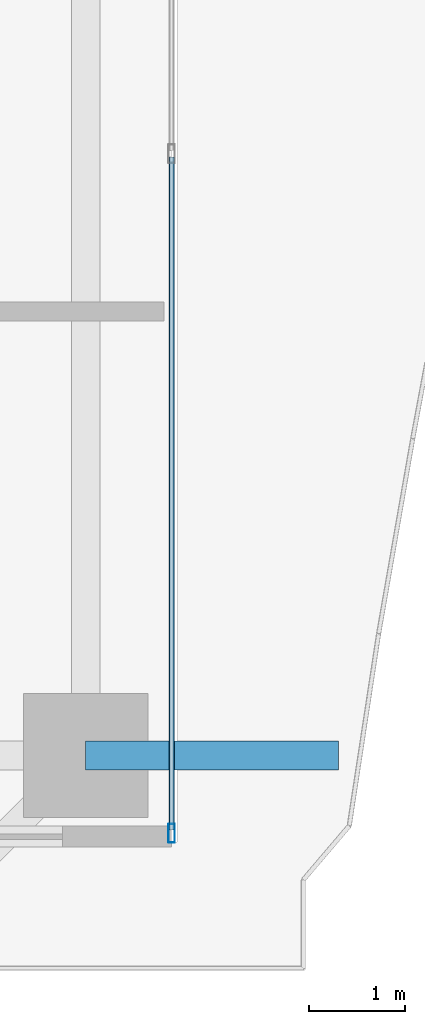
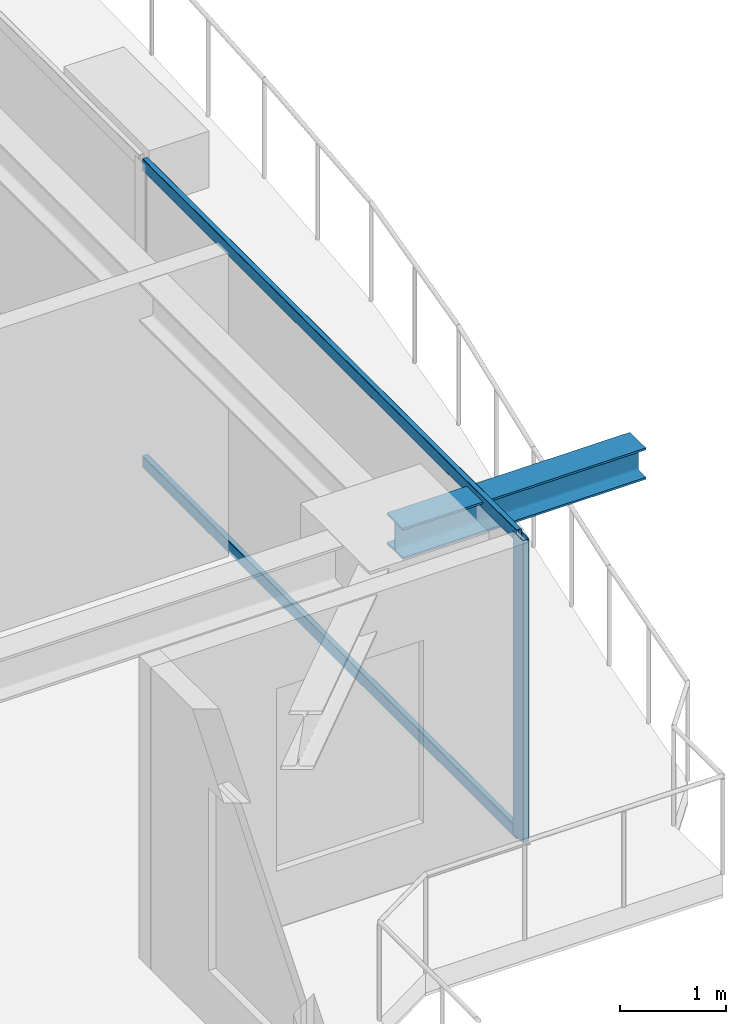
# One storey, part 12 of 36: 3 members, 1 beam, 1 element without a shape of its own.
"""IFC4 building model written with IfcOpenShell, lengths in metres."""

from ifc_helpers import new_model, si_unit, direction, frame, origin, origin_2d, place, context, subcontext, project, spatial, hollow_rectangle, i_section, extrude, source, transform, mapped, material, layer, layer_set, material_profile, profile_set, type_object, element, aggregate, save


model = new_model("IFC4")

# Units and contexts
model_context = context("Model", 3, precision=1e-05, world=origin(), true_north=direction((0.0, 1.0)))
body_context = subcontext(model_context, "Body", "Model", "MODEL_VIEW")
ifc_project = project(units=[si_unit("LENGTHUNIT", "METRE"), si_unit("AREAUNIT", "SQUARE_METRE"), si_unit("VOLUMEUNIT", "CUBIC_METRE"), si_unit("PLANEANGLEUNIT", "RADIAN"), si_unit("MASSUNIT", "GRAM", prefix="KILO")], contexts=[model_context])

# Site, building, storey
site_placement = place(None, origin())
site = spatial("IfcSite", under=ifc_project, at=site_placement, CompositionType="ELEMENT")
building_placement = place(site_placement, origin())
building = spatial("IfcBuilding", under=site, at=building_placement, Name="Serunith Strait Residences", CompositionType="ELEMENT")
storey_placement = place(building_placement, frame((0.0, 0.0, 146.39990234375)))
storey = spatial("IfcBuildingStorey", under=building, at=storey_placement, Name="L36", CompositionType="ELEMENT", Elevation=146.39990234375)

# Beam
ifc_material_1 = material(Name="Steel S355J2", Category="steel")
ifc_material_profile_1 = material_profile(ifc_material_1, i_section(OverallWidth=0.300048828125, OverallDepth=0.360107421875, WebThickness=0.012451171875, FlangeThickness=0.0224609375, FilletRadius=0.027099609375, at=origin_2d()), Name="HEB 360")
ifc_profile_set_1 = profile_set([ifc_material_profile_1], Name="Steel S355J2")
beam_type = type_object("IfcBeamType", Name="BM-HEB360", PredefinedType="BEAM", material=ifc_profile_set_1)
shared_shape_1 = source(origin(), body_context, "Body", "SweptSolid", [
    extrude(i_section(OverallWidth=0.300048828125, OverallDepth=0.360107421875, WebThickness=0.012451171875, FlangeThickness=0.0224609375, FilletRadius=0.027099609375, at=origin_2d()), origin(), (0.0, 0.0, 1.0), 2.644775390625),
])
beam_placement = place(storey_placement, frame((56.10009765625, 10.25, 3.277099609375), z_axis=(1.0, 0.0, 0.0), x_axis=(0.0, 1.0, 0.0)))
element("IfcBeam", 1, at=beam_placement, inside=storey, type_object=beam_type, Name="L37 Cantilevered Balcony Rib TC-E1", PredefinedType="BEAM", context=body_context, shape_type="MappedRepresentation", body=[
    mapped(shared_shape_1, transform((0.0, 0.0, 0.0), scale=1.0)),
])

# Curtain wall, members
ifc_material_2 = material(Name="Pale-Champagne Anodised Aluminium", Category="aluminium")
ifc_layer = layer(ifc_material_2, 0.199951171875, Name="Pale-Champagne Anodised Aluminium")
ifc_layer_set = layer_set([ifc_layer], Name="Pale-Champagne Anodised Aluminium")
curtain_wall_type = type_object("IfcCurtainWallType", Name="CW-SYS2", PredefinedType="NOTDEFINED", material=ifc_layer_set)
curtain_wall_placement = place(storey_placement, origin())
curtain_wall = element("IfcCurtainWall", 2, at=curtain_wall_placement, inside=storey, type_object=curtain_wall_type, Name="L36 E Unitised Fritted Curtain Wall", PredefinedType="NOTDEFINED")
ifc_material_profile_2 = material_profile(ifc_material_2, hollow_rectangle(XDim=0.070068359375, YDim=0.199951171875, WallThickness=0.00390625, InnerFilletRadius=0.006103515625, OuterFilletRadius=0.010009765625, at=origin_2d()), Name="ALU 200x70x4")
ifc_profile_set_2 = profile_set([ifc_material_profile_2], Name="Pale-Champagne Anodised Aluminium")
member_type_1 = type_object("IfcMemberType", Name="CW-SYS2-MULL", PredefinedType="MULLION", material=ifc_profile_set_2)
shared_shape_2 = source(origin(), body_context, "Body", "SweptSolid", [
    extrude(hollow_rectangle(XDim=0.070068359375, YDim=0.199951171875, WallThickness=0.00390625, InnerFilletRadius=0.006103515625, OuterFilletRadius=0.010009765625, at=origin_2d()), origin(), (0.0, 0.0, 1.0), 3.47509765625),
])
member_1_placement = place(storey_placement, frame((57.0, 9.43505859375, 0.0), z_axis=(0.0, 0.0, 1.0), x_axis=(-1.0, 0.0, 0.0)))
member_1 = element("IfcMember", 3, at=member_1_placement, type_object=member_type_1, Name="CW-2 mullion 1", PredefinedType="MULLION", context=body_context, shape_type="MappedRepresentation", body=[
    mapped(shared_shape_2, transform((0.0, 0.0, 0.0), scale=1.0)),
])
ifc_material_profile_3 = material_profile(ifc_material_2, hollow_rectangle(XDim=0.06005859375, YDim=0.139892578125, WallThickness=0.00341796875, InnerFilletRadius=0.00537109375, OuterFilletRadius=0.0087890625, at=origin_2d()), Name="ALU 140x60x3.5")
ifc_profile_set_3 = profile_set([ifc_material_profile_3], Name="Pale-Champagne Anodised Aluminium")
member_type_2 = type_object("IfcMemberType", Name="CW-SYS2-TRAN", PredefinedType="USERDEFINED", material=ifc_profile_set_3)
shared_shape_3 = source(origin(), body_context, "Body", "SweptSolid", [
    extrude(hollow_rectangle(XDim=0.06005859375, YDim=0.139892578125, WallThickness=0.00341796875, InnerFilletRadius=0.00537109375, OuterFilletRadius=0.0087890625, at=origin_2d()), origin(), (0.0, 0.0, 1.0), 7.044921875),
])
member_2_placement = place(storey_placement, frame((57.0, 9.469970703125, 0.030029296875), z_axis=(0.0, 1.0, 0.0), x_axis=(-1.0, 0.0, 0.0)))
member_2 = element("IfcMember", 4, at=member_2_placement, type_object=member_type_2, Name="CW-2 transom 1.1", ObjectType="TRANSOM", PredefinedType="USERDEFINED", context=body_context, shape_type="MappedRepresentation", body=[
    mapped(shared_shape_3, transform((0.0, 0.0, 0.0), scale=1.0)),
])
member_3_placement = place(storey_placement, frame((57.0, 9.469970703125, 3.445068359375), z_axis=(0.0, 1.0, 0.0), x_axis=(-1.0, 0.0, 0.0)))
member_3 = element("IfcMember", 5, at=member_3_placement, type_object=member_type_2, Name="CW-2 transom 1.2", ObjectType="TRANSOM", PredefinedType="USERDEFINED", context=body_context, shape_type="MappedRepresentation", body=[
    mapped(shared_shape_3, transform((0.0, 0.0, 0.0), scale=1.0)),
])
aggregate(curtain_wall, [member_1, member_2, member_3])

save(model, "model.ifc")
